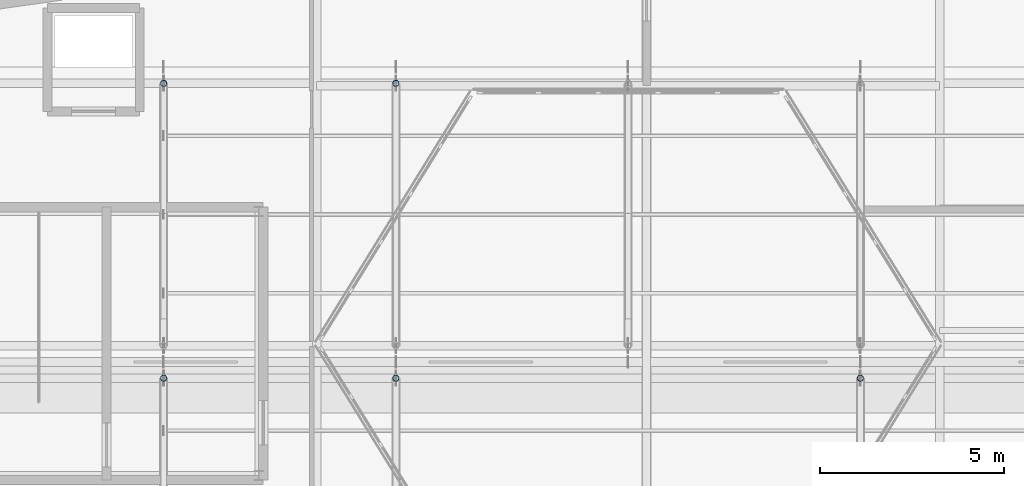
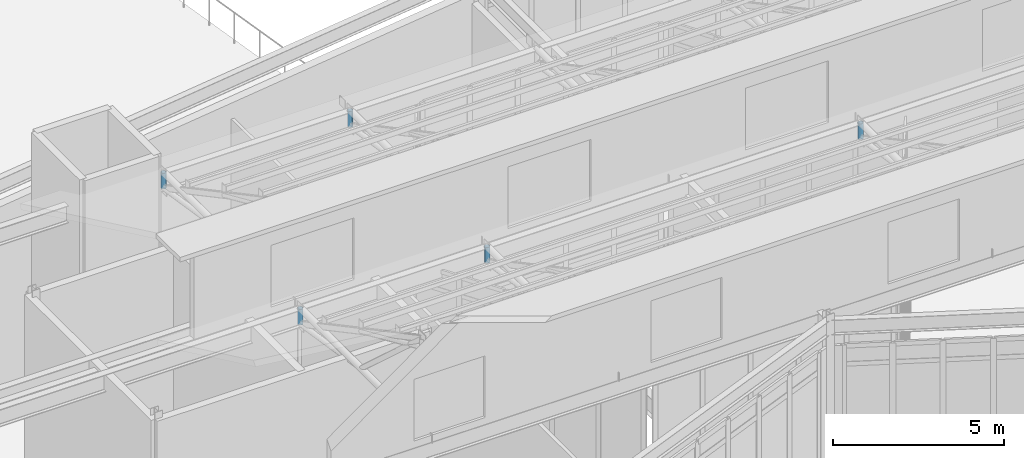
# One storey, part 40 of 66: 5 members.
"""IFC4 building model written with IfcOpenShell, lengths in metres."""

from ifc_helpers import new_model, si_unit, direction, frame, origin, origin_2d, place, context, subcontext, project, spatial, hollow_circle, extrude, material, material_profile, profile_set, type_object, element, save


model = new_model("IFC4")

# Units and contexts
model_context = context("Model", 3, precision=1e-05, world=origin(), true_north=direction((0.0, 1.0)))
body_context = subcontext(model_context, "Body", "Model", "MODEL_VIEW")
ifc_project = project(units=[si_unit("LENGTHUNIT", "METRE"), si_unit("AREAUNIT", "SQUARE_METRE"), si_unit("VOLUMEUNIT", "CUBIC_METRE"), si_unit("PLANEANGLEUNIT", "RADIAN"), si_unit("MASSUNIT", "GRAM", prefix="KILO")], contexts=[model_context])

# Site, building, storey
site_placement = place(None, origin())
site = spatial("IfcSite", under=ifc_project, at=site_placement, CompositionType="ELEMENT")
building_placement = place(site_placement, origin())
building = spatial("IfcBuilding", under=site, at=building_placement, Name="Tameran Prism Museum", CompositionType="ELEMENT")
storey_placement = place(building_placement, frame((0.0, 0.0, 19.800048828125)))
storey = spatial("IfcBuildingStorey", under=building, at=storey_placement, Name="L04", CompositionType="ELEMENT", Elevation=19.800048828125)

# Members
ifc_material = material(Name="Steel Grade C350L0 (350 MPa)", Category="steel")
ifc_material_profile = material_profile(ifc_material, hollow_circle(Radius=0.084228515625, WallThickness=0.007080078125, at=origin_2d()))
ifc_profile_set = profile_set([ifc_material_profile])
member_type = type_object("IfcMemberType", Name="MM-BR-CHS168", PredefinedType="BRACE", material=ifc_profile_set)
for number, where, z_axis, x_axis, name in (
    (1, (64.39990234375, 35.56005859375, 8.785888671875), (0.0, 0.0, -1.0), (1.0, 0.0, 0.0), "Sawtooth Brace STM-0165"),
    (2, (70.699951171875, 35.56005859375, 8.785888671875), (0.0, 0.0, -1.0), (1.0, 0.0, 0.0), "Sawtooth Brace STM-0172"),
    (3, (83.300048828125, 35.56005859375, 8.785888671875), (0.0, 0.0, -1.0), (1.0, 0.0, 0.0), "Sawtooth Brace STM-0179"),
    (4, (64.39990234375, 43.56005859375, 8.785888671875), (0.0, 0.0, -1.0), (1.0, 0.0, 0.0), "Sawtooth Brace STM-0193"),
    (5, (70.699951171875, 43.56005859375, 8.785888671875), (0.0, 0.0, -1.0), (1.0, 0.0, 0.0), "Sawtooth Brace STM-0200"),
):
    element("IfcMember", number, at=place(storey_placement, frame(where, z_axis=z_axis, x_axis=x_axis)), inside=storey, type_object=member_type, Name=name, PredefinedType="BRACE", context=body_context, shape_type="SweptSolid", body=[
        extrude(hollow_circle(Radius=0.084228515625, WallThickness=0.007080078125, at=origin_2d()), origin(), (0.0, 0.0, 1.0), 0.56201171875),
    ])

save(model, "model.ifc")
